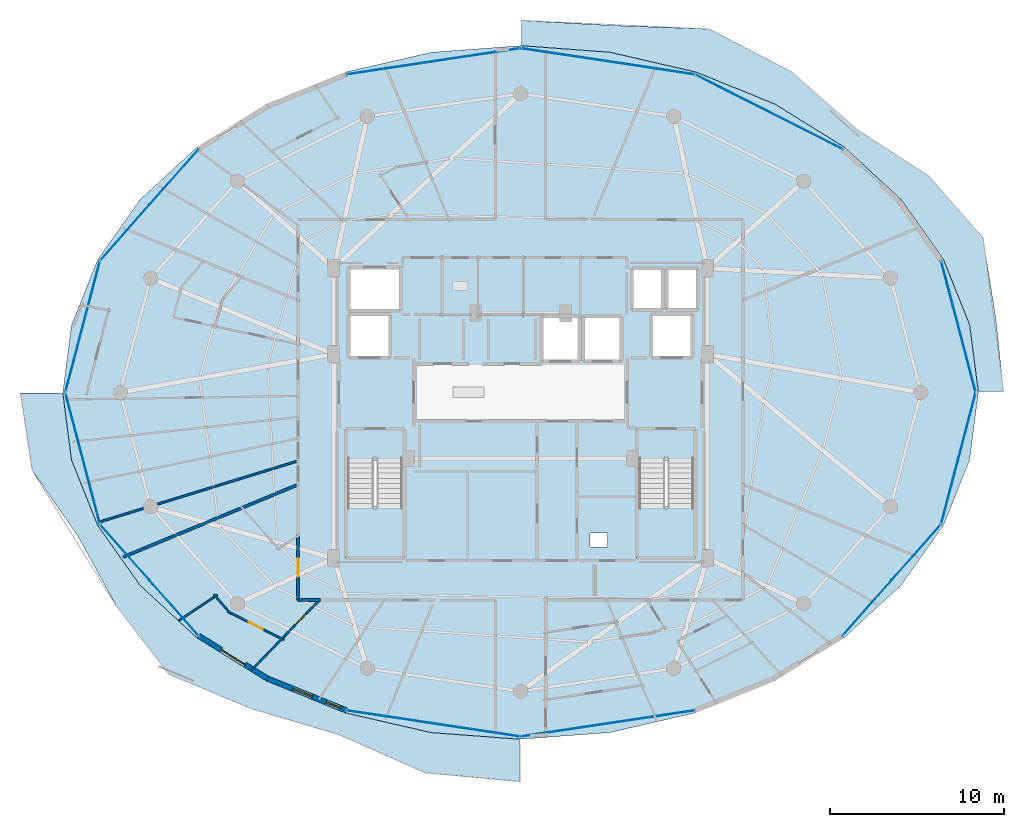
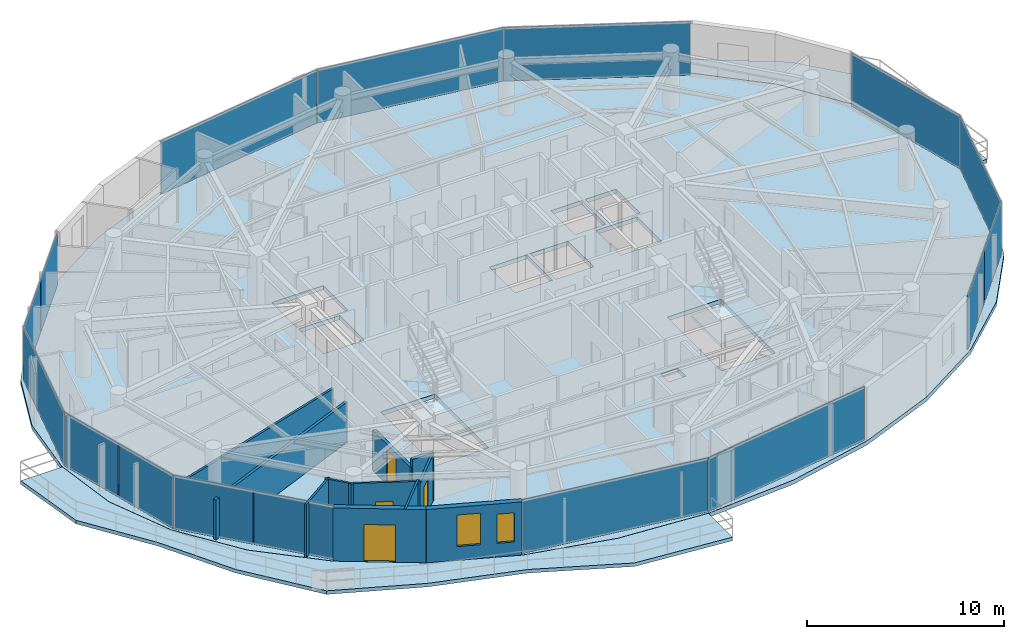
# One storey, part 22 of 31: 16 plates, 11 walls, 5 slabs, 4 doors, 2 windows, 6 openings, 6 elements without a shape of their own.
"""IFC4 building model written with IfcOpenShell, lengths in metres."""

from ifc_helpers import new_model, si_unit, direction, frame, frame_2d, origin, origin_2d, place, context, subcontext, project, spatial, polyline, rectangle, outline, extrude, material, layer, layer_set, type_object, element, fill, aggregate, save


model = new_model("IFC4")

# Units and contexts
model_context = context("Model", 3, precision=1e-05, world=origin(), true_north=direction((0.0, 1.0)))
body_context = subcontext(model_context, "Body", "Model", "MODEL_VIEW")
ifc_project = project(units=[si_unit("LENGTHUNIT", "METRE"), si_unit("AREAUNIT", "SQUARE_METRE"), si_unit("VOLUMEUNIT", "CUBIC_METRE"), si_unit("PLANEANGLEUNIT", "RADIAN"), si_unit("MASSUNIT", "GRAM", prefix="KILO")], contexts=[model_context])

# Site, building, storey
site_placement = place(None, origin())
site = spatial("IfcSite", under=ifc_project, at=site_placement, CompositionType="ELEMENT")
building_placement = place(site_placement, origin())
building = spatial("IfcBuilding", under=site, at=building_placement, Name="Vorneva Point Tower", CompositionType="ELEMENT")
storey_placement = place(building_placement, frame((0.0, 0.0, 248.449951171875)))
storey = spatial("IfcBuildingStorey", under=building, at=storey_placement, Name="L67", CompositionType="ELEMENT", Elevation=248.449951171875)

# Curtain wall, plates
ifc_material_1 = material(Name="Pale anodised aluminium", Category="aluminium")
curtain_wall_type = type_object("IfcCurtainWallType", Name="CW-RES-SYS", PredefinedType="NOTDEFINED", material=ifc_material_1)
curtain_wall_1_placement = place(storey_placement, origin())
curtain_wall_1 = element("IfcCurtainWall", 1, at=curtain_wall_1_placement, inside=storey, type_object=curtain_wall_type, Name="L67 Unitised Curtain Wall CW-L67-R01", PredefinedType="NOTDEFINED")
ifc_material_2 = material(Name="Double low-e laminated glass IGU", Category="glass")
ifc_layer_1 = layer(ifc_material_2, 0.035888671875)
ifc_layer_set_1 = layer_set([ifc_layer_1], Name="Double low-e laminated glass IGU")
plate_type = type_object("IfcPlateType", Name="CW-PNL-VIS", PredefinedType="CURTAIN_PANEL", material=ifc_layer_set_1)
plate_1_placement = place(storey_placement, frame((57.946044921875, 13.598876953125, -0.02001953125), z_axis=(0.0, 0.0, 1.0), x_axis=(0.662188570806, 0.749337238294, 0.0)))
plate_1 = element("IfcPlate", 2, at=plate_1_placement, type_object=plate_type, Name="CW-L67-R01 Glazed Panel 01A", PredefinedType="CURTAIN_PANEL", context=body_context, shape_type="SweptSolid", body=[
    extrude(rectangle(XDim=4.23828125, YDim=0.035888671875, at=origin_2d()), origin(), (0.0, 0.0, 1.0), 3.330078125),
])
plate_2_placement = place(storey_placement, frame((60.785888671875, 16.812255859375, -0.02001953125), z_axis=(0.0, 0.0, 1.0), x_axis=(0.662188570806, 0.749337238294, 0.0)))
plate_2 = element("IfcPlate", 3, at=plate_2_placement, type_object=plate_type, Name="CW-L67-R01 Glazed Panel 01B", PredefinedType="CURTAIN_PANEL", context=body_context, shape_type="SweptSolid", body=[
    extrude(rectangle(XDim=4.23828125, YDim=0.035888671875, at=origin_2d()), origin(), (0.0, 0.0, 1.0), 3.330078125),
])
plate_3_placement = place(storey_placement, frame((63.202880859375, 22.20947265625, -0.02001953125), z_axis=(0.0, 0.0, 1.0), x_axis=(0.254416284022, 0.967094801157, 0.0)))
plate_3 = element("IfcPlate", 4, at=plate_3_placement, type_object=plate_type, Name="CW-L67-R01 Glazed Panel 02", PredefinedType="CURTAIN_PANEL", context=body_context, shape_type="SweptSolid", body=[
    extrude(rectangle(XDim=7.7890625, YDim=0.035888671875, at=origin_2d()), origin(), (0.0, 0.0, 1.0), 3.330078125),
])
plate_4_placement = place(storey_placement, frame((63.202880859375, 29.79052734375, -0.02001953125), z_axis=(0.0, 0.0, 1.0), x_axis=(-0.254416284022, 0.967094801157, 0.0)))
plate_4 = element("IfcPlate", 5, at=plate_4_placement, type_object=plate_type, Name="CW-L67-R01 Glazed Panel 03", PredefinedType="CURTAIN_PANEL", context=body_context, shape_type="SweptSolid", body=[
    extrude(rectangle(XDim=7.7890625, YDim=0.035888671875, at=origin_2d()), origin(), (0.0, 0.0, 1.0), 3.330078125),
])
aggregate(curtain_wall_1, [plate_1, plate_2, plate_3, plate_4])

curtain_wall_2_placement = place(storey_placement, origin())
curtain_wall_2 = element("IfcCurtainWall", 6, at=curtain_wall_2_placement, inside=storey, type_object=curtain_wall_type, Name="L67 Unitised Curtain Wall CW-L67-R02", PredefinedType="NOTDEFINED")
plate_5_placement = place(storey_placement, frame((52.2763671875, 42.15478515625, -0.02001953125), z_axis=(0.0, 0.0, 1.0), x_axis=(-0.892554339087, 0.450939853836, 0.0)))
plate_5 = element("IfcPlate", 7, at=plate_5_placement, type_object=plate_type, Name="CW-L67-R02 Glazed Panel 01", PredefinedType="CURTAIN_PANEL", context=body_context, shape_type="SweptSolid", body=[
    extrude(rectangle(XDim=9.47314453125, YDim=0.035888671875, at=origin_2d()), origin(), (0.0, 0.0, 1.0), 3.330078125),
])
plate_6_placement = place(storey_placement, frame((43.01318359375, 45.055908203125, -0.02001953125), z_axis=(0.0, 0.0, 1.0), x_axis=(-0.988878712919, 0.148724211669, 0.0)))
plate_6 = element("IfcPlate", 8, at=plate_6_placement, type_object=plate_type, Name="CW-L67-R02 Glazed Panel 02", PredefinedType="CURTAIN_PANEL", context=body_context, shape_type="SweptSolid", body=[
    extrude(rectangle(XDim=10.089111328125, YDim=0.035888671875, at=origin_2d()), origin(), (0.0, 0.0, 1.0), 3.330078125),
])
plate_7_placement = place(storey_placement, frame((32.98681640625, 45.055908203125, -0.02001953125), z_axis=(0.0, 0.0, 1.0), x_axis=(-0.988878712919, -0.148724211669, 0.0)))
plate_7 = element("IfcPlate", 9, at=plate_7_placement, type_object=plate_type, Name="CW-L67-R02 Glazed Panel 03", PredefinedType="CURTAIN_PANEL", context=body_context, shape_type="SweptSolid", body=[
    extrude(rectangle(XDim=10.089111328125, YDim=0.035888671875, at=origin_2d()), origin(), (0.0, 0.0, 1.0), 3.330078125),
])
aggregate(curtain_wall_2, [plate_5, plate_6, plate_7])

curtain_wall_3_placement = place(storey_placement, origin())
curtain_wall_3 = element("IfcCurtainWall", 10, at=curtain_wall_3_placement, inside=storey, type_object=curtain_wall_type, Name="L67 Unitised Curtain Wall CW-L67-R03", PredefinedType="NOTDEFINED")
plate_8_placement = place(storey_placement, frame((18.053955078125, 38.401123046875, -0.02001953125), z_axis=(0.0, 0.0, 1.0), x_axis=(-0.662188570806, -0.749337238294, 0.0)))
plate_8 = element("IfcPlate", 11, at=plate_8_placement, type_object=plate_type, Name="CW-L67-R03 Glazed Panel 01A", PredefinedType="CURTAIN_PANEL", context=body_context, shape_type="SweptSolid", body=[
    extrude(rectangle(XDim=4.23828125, YDim=0.035888671875, at=origin_2d()), origin(), (0.0, 0.0, 1.0), 3.330078125),
])
plate_9_placement = place(storey_placement, frame((15.214111328125, 35.187744140625, -0.02001953125), z_axis=(0.0, 0.0, 1.0), x_axis=(-0.662188570806, -0.749337238294, 0.0)))
plate_9 = element("IfcPlate", 12, at=plate_9_placement, type_object=plate_type, Name="CW-L67-R03 Glazed Panel 01B", PredefinedType="CURTAIN_PANEL", context=body_context, shape_type="SweptSolid", body=[
    extrude(rectangle(XDim=4.23828125, YDim=0.035888671875, at=origin_2d()), origin(), (0.0, 0.0, 1.0), 3.330078125),
])
plate_10_placement = place(storey_placement, frame((12.797119140625, 29.79052734375, -0.02001953125), z_axis=(0.0, 0.0, 1.0), x_axis=(-0.254416284022, -0.967094801157, 0.0)))
plate_10 = element("IfcPlate", 13, at=plate_10_placement, type_object=plate_type, Name="CW-L67-R03 Glazed Panel 02", PredefinedType="CURTAIN_PANEL", context=body_context, shape_type="SweptSolid", body=[
    extrude(rectangle(XDim=7.7890625, YDim=0.035888671875, at=origin_2d()), origin(), (0.0, 0.0, 1.0), 3.330078125),
])
plate_11_placement = place(storey_placement, frame((12.298583984375, 24.104736328125, -0.02001953125), z_axis=(0.0, 0.0, 1.0), x_axis=(0.254416284022, -0.967094801157, 0.0)))
plate_11 = element("IfcPlate", 14, at=plate_11_placement, type_object=plate_type, Name="CW-L67-R03 Glazed Panel 03A", PredefinedType="CURTAIN_PANEL", context=body_context, shape_type="SweptSolid", body=[
    extrude(rectangle(XDim=3.869384765625, YDim=0.035888671875, at=origin_2d()), origin(), (0.0, 0.0, 1.0), 3.330078125),
])
plate_12_placement = place(storey_placement, frame((13.2958984375, 20.314208984375, -0.02001953125), z_axis=(0.0, 0.0, 1.0), x_axis=(0.254416284022, -0.967094801157, 0.0)))
plate_12 = element("IfcPlate", 15, at=plate_12_placement, type_object=plate_type, Name="CW-L67-R03 Glazed Panel 03B", PredefinedType="CURTAIN_PANEL", context=body_context, shape_type="SweptSolid", body=[
    extrude(rectangle(XDim=3.869384765625, YDim=0.035888671875, at=origin_2d()), origin(), (0.0, 0.0, 1.0), 3.330078125),
])
plate_13_placement = place(storey_placement, frame((15.214111328125, 16.812255859375, -0.02001953125), z_axis=(0.0, 0.0, 1.0), x_axis=(0.662188570806, -0.749337238294, 0.0)))
plate_13 = element("IfcPlate", 16, at=plate_13_placement, type_object=plate_type, Name="CW-L67-R03 Glazed Panel 04A", PredefinedType="CURTAIN_PANEL", context=body_context, shape_type="SweptSolid", body=[
    extrude(rectangle(XDim=4.23828125, YDim=0.035888671875, at=origin_2d()), origin(), (0.0, 0.0, 1.0), 3.330078125),
])
plate_14_placement = place(storey_placement, frame((18.053955078125, 13.598876953125, -0.02001953125), z_axis=(0.0, 0.0, 1.0), x_axis=(0.662188570806, -0.749337238294, 0.0)))
plate_14 = element("IfcPlate", 17, at=plate_14_placement, type_object=plate_type, Name="CW-L67-R03 Glazed Panel 04B", PredefinedType="CURTAIN_PANEL", context=body_context, shape_type="SweptSolid", body=[
    extrude(rectangle(XDim=4.23828125, YDim=0.035888671875, at=origin_2d()), origin(), (0.0, 0.0, 1.0), 3.330078125),
])
aggregate(curtain_wall_3, [plate_8, plate_9, plate_10, plate_11, plate_12, plate_13, plate_14])

curtain_wall_4_placement = place(storey_placement, origin())
curtain_wall_4 = element("IfcCurtainWall", 18, at=curtain_wall_4_placement, inside=storey, type_object=curtain_wall_type, Name="L67 Unitised Curtain Wall CW-L67-R04", PredefinedType="NOTDEFINED")
plate_15_placement = place(storey_placement, frame((32.98681640625, 6.944091796875, -0.02001953125), z_axis=(0.0, 0.0, 1.0), x_axis=(0.988878712919, -0.148724211669, 0.0)))
plate_15 = element("IfcPlate", 19, at=plate_15_placement, type_object=plate_type, Name="CW-L67-R04 Glazed Panel 01", PredefinedType="CURTAIN_PANEL", context=body_context, shape_type="SweptSolid", body=[
    extrude(rectangle(XDim=10.089111328125, YDim=0.035888671875, at=origin_2d()), origin(), (0.0, 0.0, 1.0), 3.330078125),
])
plate_16_placement = place(storey_placement, frame((43.01318359375, 6.944091796875, -0.02001953125), z_axis=(0.0, 0.0, 1.0), x_axis=(0.988878712919, 0.148724211669, 0.0)))
plate_16 = element("IfcPlate", 20, at=plate_16_placement, type_object=plate_type, Name="CW-L67-R04 Glazed Panel 02", PredefinedType="CURTAIN_PANEL", context=body_context, shape_type="SweptSolid", body=[
    extrude(rectangle(XDim=10.089111328125, YDim=0.035888671875, at=origin_2d()), origin(), (0.0, 0.0, 1.0), 3.330078125),
])
aggregate(curtain_wall_4, [plate_15, plate_16])

# Slabs
ifc_material_3 = material(Name="Concrete B50 (C40/50)", Category="concrete")
ifc_layer_2 = layer(ifc_material_3, 0.219970703125)
ifc_layer_set_2 = layer_set([ifc_layer_2], Name="Concrete B50 (C40/50)")
slab_type_1 = type_object("IfcSlabType", Name="SLB-BAL-220", PredefinedType="FLOOR", material=ifc_layer_set_2)
slab_1_placement = place(storey_placement, frame((0.0, 0.0, -0.219970703125)))
element("IfcSlab", 21, at=slab_1_placement, inside=storey, type_object=slab_type_1, Name="L67 Cantilevered Wave Balcony NE", PredefinedType="FLOOR", context=body_context, shape_type="SweptSolid", body=[
    extrude(outline(polyline([(38.050048828125, 47.412353515625), (38.050048828125, 45.960205078125), (43.140869140625, 45.58056640625), (43.14111328125, 45.58056640625), (43.1416015625, 45.580322265625), (48.084716796875, 44.444580078125), (48.0849609375, 44.4443359375), (48.085205078125, 44.4443359375), (52.640869140625, 42.599853515625), (52.64111328125, 42.599609375), (52.641357421875, 42.599609375), (56.634521484375, 40.1171875), (56.634765625, 40.1171875), (56.635009765625, 40.11669921875), (59.911865234375, 37.092041015625), (59.912109375, 37.091796875), (59.91259765625, 37.091552734375), (62.347412109375, 33.640625), (62.34765625, 33.640380859375), (62.347900390625, 33.639892578125), (63.847412109375, 29.8955078125), (63.847412109375, 29.895263671875), (63.84765625, 29.894775390625), (63.84765625, 29.89453125), (64.347412109375, 26.050048828125), (65.7998046875, 26.050048828125), (65.353515625, 30.29052734375), (64.62255859375, 34.88427734375), (61.47412109375, 38.469482421875), (57.386962890625, 41.1103515625), (53.58154296875, 44.457763671875), (48.861083984375, 46.918212890625), (43.373291015625, 47.1201171875), (38.050048828125, 47.412353515625)])), origin(), (0.0, 0.0, 1.0), 0.219970703125),
])
slab_2_placement = place(storey_placement, frame((0.0, 0.0, -0.219970703125)))
element("IfcSlab", 22, at=slab_2_placement, inside=storey, type_object=slab_type_1, Name="L67 Cantilevered Wave Balcony SW", PredefinedType="FLOOR", context=body_context, shape_type="SweptSolid", body=[
    extrude(outline(polyline([(37.949951171875, 3.599609375), (37.949951171875, 6.039794921875), (32.859130859375, 6.41943359375), (32.85888671875, 6.41943359375), (32.8583984375, 6.419677734375), (27.915283203125, 7.555419921875), (27.9150390625, 7.5556640625), (27.914794921875, 7.5556640625), (23.359130859375, 9.400146484375), (23.35888671875, 9.400390625), (23.358642578125, 9.400390625), (19.365478515625, 11.8828125), (19.365234375, 11.8828125), (19.364990234375, 11.88330078125), (16.088134765625, 14.907958984375), (16.087890625, 14.908203125), (16.08740234375, 14.908447265625), (13.652587890625, 18.359375), (13.65234375, 18.359619140625), (13.652099609375, 18.360107421875), (12.152587890625, 22.1044921875), (12.152587890625, 22.104736328125), (12.15234375, 22.105224609375), (12.15234375, 22.10546875), (11.652587890625, 25.949951171875), (9.212646484375, 25.949951171875), (9.89404296875, 21.511962890625), (12.51220703125, 17.736328125), (14.730712890625, 13.711181640625), (17.767578125, 9.773681640625), (22.541748046875, 7.785888671875), (27.526123046875, 6.31591796875), (32.510986328125, 4.110595703125), (37.949951171875, 3.599609375)])), origin(), (0.0, 0.0, 1.0), 0.219970703125),
])

# Stair, slab
stair_type = type_object("IfcStairType", Name="ST-DOG-1500", PredefinedType="HALF_TURN_STAIR", material=ifc_material_3)
stair_1_placement = place(storey_placement, origin())
stair_1 = element("IfcStair", 23, at=stair_1_placement, inside=storey, type_object=stair_type, Name="L67 ST1", PredefinedType="HALF_TURN_STAIR")
ifc_layer_3 = layer(ifc_material_3, 0.199951171875)
ifc_layer_set_3 = layer_set([ifc_layer_3], Name="Concrete B50 (C40/50)")
slab_type_2 = type_object("IfcSlabType", Name="SLB-LND-200", PredefinedType="LANDING", material=ifc_layer_set_3)
slab_3_placement = place(storey_placement, frame((0.0, 0.0, 1.574951171875)))
slab_3 = element("IfcSlab", 24, at=slab_3_placement, type_object=slab_type_2, Name="ST1 landing 1", PredefinedType="LANDING", context=body_context, shape_type="SweptSolid", body=[
    extrude(outline(polyline([(27.929931640625, 16.47998046875), (31.320068359375, 16.47998046875), (31.320068359375, 19.43994140625), (27.929931640625, 19.43994140625), (27.929931640625, 16.47998046875)])), origin(), (0.0, 0.0, 1.0), 0.2001953125),
])
aggregate(stair_1, [slab_3])

stair_2_placement = place(storey_placement, origin())
stair_2 = element("IfcStair", 25, at=stair_2_placement, inside=storey, type_object=stair_type, Name="L67 ST2", PredefinedType="HALF_TURN_STAIR")
slab_4_placement = place(storey_placement, frame((0.0, 0.0, 1.574951171875)))
slab_4 = element("IfcSlab", 26, at=slab_4_placement, type_object=slab_type_2, Name="ST2 landing 1", PredefinedType="LANDING", context=body_context, shape_type="SweptSolid", body=[
    extrude(outline(polyline([(44.679931640625, 16.47998046875), (48.070068359375, 16.47998046875), (48.070068359375, 19.43994140625), (44.679931640625, 19.43994140625), (44.679931640625, 16.47998046875)])), origin(), (0.0, 0.0, 1.0), 0.2001953125),
])
aggregate(stair_2, [slab_4])

# Slab
ifc_layer_4 = layer(ifc_material_3, 0.260009765625)
ifc_layer_set_4 = layer_set([ifc_layer_4], Name="Concrete B50 (C40/50)")
slab_type_3 = type_object("IfcSlabType", Name="SLB-TYP-260", PredefinedType="FLOOR", material=ifc_layer_set_4)
slab_5_placement = place(storey_placement, frame((0.0, 0.0, -0.260009765625)))
element("IfcSlab", 27, at=slab_5_placement, inside=storey, type_object=slab_type_3, Name="L67 Structural Floor Plate", PredefinedType="FLOOR", context=body_context, shape_type="SweptSolid", body=[
    extrude(outline(polyline([(64.35009765625, 26.0), (63.84375, 29.89404296875), (62.34423828125, 33.638427734375), (59.9091796875, 37.089111328125), (56.63232421875, 40.114013671875), (52.639404296875, 42.59619140625), (48.083740234375, 44.440673828125), (43.140625, 45.576416015625), (38.0, 45.9599609375), (32.859375, 45.576416015625), (27.916259765625, 44.440673828125), (23.360595703125, 42.59619140625), (19.36767578125, 40.114013671875), (16.0908203125, 37.089111328125), (13.65576171875, 33.638427734375), (12.15625, 29.89404296875), (11.64990234375, 26.0), (12.15625, 22.10595703125), (13.65576171875, 18.361572265625), (16.0908203125, 14.910888671875), (19.36767578125, 11.885986328125), (23.360595703125, 9.40380859375), (27.916259765625, 7.559326171875), (32.859375, 6.423583984375), (38.0, 6.0400390625), (43.140625, 6.423583984375), (48.083740234375, 7.559326171875), (52.639404296875, 9.40380859375), (56.63232421875, 11.885986328125), (59.9091796875, 14.910888671875), (62.34423828125, 18.361572265625), (63.84375, 22.10595703125), (64.35009765625, 26.0)]), holes=[polyline([(39.199951171875, 27.800048828125), (41.39990234375, 27.800048828125), (41.39990234375, 30.39990234375), (39.199951171875, 30.39990234375), (39.199951171875, 27.800048828125)]), polyline([(41.60009765625, 27.800048828125), (43.800048828125, 27.800048828125), (43.800048828125, 30.39990234375), (41.60009765625, 30.39990234375), (41.60009765625, 27.800048828125)]), polyline([(44.39990234375, 30.739990234375), (46.199951171875, 30.739990234375), (46.199951171875, 33.159912109375), (44.39990234375, 33.159912109375), (44.39990234375, 30.739990234375)]), polyline([(46.39990234375, 30.739990234375), (48.199951171875, 30.739990234375), (48.199951171875, 33.159912109375), (46.39990234375, 33.159912109375), (46.39990234375, 30.739990234375)]), polyline([(28.10009765625, 28.0), (30.5, 28.0), (30.5, 30.5), (28.10009765625, 30.5), (28.10009765625, 28.0)]), polyline([(45.5, 28.0), (47.89990234375, 28.0), (47.89990234375, 30.5), (45.5, 30.5), (45.5, 28.0)]), polyline([(28.10009765625, 30.699951171875), (31.10009765625, 30.699951171875), (31.10009765625, 33.199951171875), (28.10009765625, 33.199951171875), (28.10009765625, 30.699951171875)]), polyline([(28.050048828125, 16.60009765625), (31.199951171875, 16.60009765625), (31.199951171875, 22.080078125), (28.050048828125, 22.080078125), (28.050048828125, 16.60009765625)]), polyline([(44.800048828125, 16.60009765625), (47.949951171875, 16.60009765625), (47.949951171875, 22.080078125), (44.800048828125, 22.080078125), (44.800048828125, 16.60009765625)]), polyline([(42.0, 17.10009765625), (43.0, 17.10009765625), (43.0, 17.89990234375), (42.0, 17.89990234375), (42.0, 17.10009765625)])]), origin(), (0.0, 0.0, 1.0), 0.260009765625),
])

# Wall, opening, door
ifc_material_4 = material(Name="Precast concrete B50 (C40/50)", Category="concrete")
ifc_layer_5 = layer(ifc_material_4, 0.300048828125)
ifc_layer_set_5 = layer_set([ifc_layer_5], Name="Precast concrete B50 (C40/50)")
wall_type_1 = type_object("IfcWallType", Name="WL-EXT-300", PredefinedType="STANDARD", material=ifc_layer_set_5)
wall_1_placement = place(storey_placement, frame((19.473876953125, 11.9921875, 0.0), z_axis=(0.0, 0.0, 1.0), x_axis=(0.849702323036, -0.527262707032, 0.0)))
wall_1 = element("IfcWall", 28, at=wall_1_placement, inside=storey, type_object=wall_type_1, Name="L67 Pale-Metal Facade Spandrel Wall 11.1", PredefinedType="STANDARD", context=body_context, shape_type="SweptSolid", body=[
    extrude(rectangle(XDim=4.67236328125, YDim=0.300048828125, at=frame_2d((2.336181640625, 0.0))), origin(), (0.0, 0.0, 1.0), 3.2900390625),
])
opening_1_placement = place(wall_1_placement, frame((1.536376953125, 0.0, 0.0)))
opening_1 = element("IfcOpeningElement", 29, at=opening_1_placement, cuts=wall_1, Name="Opening BD-01", PredefinedType="OPENING", context=body_context, shape_type="SweptSolid", body=[
    extrude(rectangle(XDim=1.60009765625, YDim=2.300048828125, at=frame_2d((0.800048828125, 1.14990234375))), frame((0.0, 0.1650390625, 0.0), z_axis=(0.0, -1.0, 0.0), x_axis=(1.0, 0.0, 0.0)), (0.0, 0.0, 1.0), 0.329833984375),
])
door_type_1 = type_object("IfcDoorType", Name="DR-BAL-1600", OperationType="SLIDING_TO_LEFT", PredefinedType="DOOR", material=ifc_material_1)
door_1_placement = place(opening_1_placement, origin())
door_1 = element("IfcDoor", 30, at=door_1_placement, inside=storey, type_object=door_type_1, Name="L67 Balcony Terrace Access Door 11", OperationType="SLIDING_TO_LEFT", OverallHeight=2.300048828125, OverallWidth=1.60009765625, PredefinedType="DOOR", context=body_context, shape_type="SweptSolid", body=[
    extrude(rectangle(XDim=1.60009765625, YDim=2.300048828125, at=frame_2d((0.800048828125, 1.14990234375))), frame((0.0, 0.02490234375, 0.0), z_axis=(0.0, -1.0, 0.0), x_axis=(1.0, 0.0, 0.0)), (0.0, 0.0, 1.0), 0.050048828125),
])
fill(opening_1, door_1)

# Wall, openings, windows
wall_2_placement = place(storey_placement, frame((23.444091796875, 9.528564453125, 0.0), z_axis=(0.0, 0.0, 1.0), x_axis=(0.927147375511, -0.374696869594, 0.0)))
wall_2 = element("IfcWall", 31, at=wall_2_placement, inside=storey, type_object=wall_type_1, Name="L67 Pale-Metal Facade Spandrel Wall 11.2", PredefinedType="STANDARD", context=body_context, shape_type="SweptSolid", body=[
    extrude(rectangle(XDim=4.885498046875, YDim=0.300048828125, at=frame_2d((2.44287109375, 0.0))), origin(), (0.0, 0.0, 1.0), 3.2900390625),
])
opening_2_placement = place(wall_2_placement, frame((1.573974609375, 0.0, 0.85009765625)))
opening_2 = element("IfcOpeningElement", 32, at=opening_2_placement, cuts=wall_2, Name="Opening W-04", PredefinedType="OPENING", context=body_context, shape_type="SweptSolid", body=[
    extrude(rectangle(XDim=1.199951171875, YDim=1.949951171875, at=frame_2d((0.60009765625, 0.97509765625))), frame((0.0, 0.1650390625, 0.0), z_axis=(0.0, -1.0, 0.0), x_axis=(1.0, 0.0, 0.0)), (0.0, 0.0, 1.0), 0.329833984375),
])
opening_3_placement = place(wall_2_placement, frame((3.6064453125, 0.0, 0.85009765625)))
opening_3 = element("IfcOpeningElement", 33, at=opening_3_placement, cuts=wall_2, Name="Opening W-08", PredefinedType="OPENING", context=body_context, shape_type="SweptSolid", body=[
    extrude(rectangle(XDim=0.89990234375, YDim=1.800048828125, at=frame_2d((0.449951171875, 0.89990234375))), frame((0.0, 0.1650390625, 0.0), z_axis=(0.0, -1.0, 0.0), x_axis=(1.0, 0.0, 0.0)), (0.0, 0.0, 1.0), 0.329833984375),
])
window_type_1 = type_object("IfcWindowType", Name="WN-CAS-900", PartitioningType="SINGLE_PANEL", PredefinedType="WINDOW", material=ifc_material_2)
window_1_placement = place(opening_3_placement, origin())
window_1 = element("IfcWindow", 34, at=window_1_placement, inside=storey, type_object=window_type_1, Name="L67 Dwelling Vision Window 03", OverallHeight=1.800048828125, OverallWidth=0.89990234375, PartitioningType="SINGLE_PANEL", PredefinedType="WINDOW", context=body_context, shape_type="SweptSolid", body=[
    extrude(rectangle(XDim=0.89990234375, YDim=1.800048828125, at=frame_2d((0.449951171875, 0.89990234375))), frame((0.0, 0.030029296875, 0.0), z_axis=(0.0, -1.0, 0.0), x_axis=(1.0, 0.0, 0.0)), (0.0, 0.0, 1.0), 0.06005859375),
])
fill(opening_3, window_1)
window_type_2 = type_object("IfcWindowType", Name="WN-RES-1200", PartitioningType="SINGLE_PANEL", PredefinedType="WINDOW", material=ifc_material_2)
window_2_placement = place(opening_2_placement, origin())
window_2 = element("IfcWindow", 35, at=window_2_placement, inside=storey, type_object=window_type_2, Name="L67 Dwelling Vision Window 02", OverallHeight=1.949951171875, OverallWidth=1.199951171875, PartitioningType="SINGLE_PANEL", PredefinedType="WINDOW", context=body_context, shape_type="SweptSolid", body=[
    extrude(rectangle(XDim=1.199951171875, YDim=1.949951171875, at=frame_2d((0.60009765625, 0.97509765625))), frame((0.0, 0.030029296875, 0.0), z_axis=(0.0, -1.0, 0.0), x_axis=(1.0, 0.0, 0.0)), (0.0, 0.0, 1.0), 0.06005859375),
])
fill(opening_2, window_2)

# Wall
ifc_material_5 = material(Name="Fire-rated acoustic gypsum stud partition", Category="gypsum")
ifc_layer_6 = layer(ifc_material_5, 0.110107421875)
ifc_layer_set_6 = layer_set([ifc_layer_6], Name="Fire-rated acoustic gypsum stud partition")
wall_type_2 = type_object("IfcWallType", Name="WL-PART-110", PredefinedType="PARTITIONING", material=ifc_layer_set_6)
wall_3_placement = place(storey_placement, frame((20.33935546875, 14.373779296875, 0.0), z_axis=(0.0, 0.0, 1.0), x_axis=(0.662352602393, -0.749192251764, 0.0)))
element("IfcWall", 36, at=wall_3_placement, inside=storey, type_object=wall_type_2, Name="L67 Interior Partition 103", PredefinedType="PARTITIONING", context=body_context, shape_type="SweptSolid", body=[
    extrude(rectangle(XDim=1.523681640625, YDim=0.110107421875, at=frame_2d((0.76171875, 0.0))), origin(), (0.0, 0.0, 1.0), 3.2900390625),
])

# Wall, opening, door
wall_4_placement = place(storey_placement, frame((21.131103515625, 13.400146484375, 0.0), z_axis=(0.0, 0.0, 1.0), x_axis=(0.892570631547, -0.450907604394, 0.0)))
wall_4 = element("IfcWall", 37, at=wall_4_placement, inside=storey, type_object=wall_type_2, Name="L67 Interior Partition 104", PredefinedType="PARTITIONING", context=body_context, shape_type="SweptSolid", body=[
    extrude(rectangle(XDim=3.64453125, YDim=0.110107421875, at=frame_2d((1.822265625, 0.0))), origin(), (0.0, 0.0, 1.0), 3.2900390625),
])
opening_4_placement = place(wall_4_placement, frame((1.372314453125, 0.0, 0.0)))
opening_4 = element("IfcOpeningElement", 38, at=opening_4_placement, cuts=wall_4, Name="Opening ID-01", PredefinedType="OPENING", context=body_context, shape_type="SweptSolid", body=[
    extrude(rectangle(XDim=0.89990234375, YDim=2.10009765625, at=frame_2d((0.449951171875, 1.050048828125))), frame((0.0, 0.06982421875, 0.0), z_axis=(0.0, -1.0, 0.0), x_axis=(1.0, 0.0, 0.0)), (0.0, 0.0, 1.0), 0.139892578125),
])
ifc_material_6 = material(Name="Engineered oak fire-rated door leaf", Category="wood")
door_type_2 = type_object("IfcDoorType", Name="DR-ROOM-900", OperationType="NOTDEFINED", PredefinedType="DOOR", material=ifc_material_6)
door_2_placement = place(opening_4_placement, origin())
door_2 = element("IfcDoor", 39, at=door_2_placement, inside=storey, type_object=door_type_2, Name="L67 Door Living and Dining Room L67-03 / Kitchen L67-03", OperationType="SINGLE_SWING_RIGHT", OverallHeight=2.10009765625, OverallWidth=0.89990234375, PredefinedType="DOOR", context=body_context, shape_type="SweptSolid", body=[
    extrude(rectangle(XDim=0.89990234375, YDim=2.10009765625, at=frame_2d((0.449951171875, 1.050048828125))), frame((0.0, 0.02490234375, 0.0), z_axis=(0.0, -1.0, 0.0), x_axis=(1.0, 0.0, 0.0)), (0.0, 0.0, 1.0), 0.050048828125),
])
fill(opening_4, door_2)

# Walls
wall_5_placement = place(storey_placement, frame((18.32763671875, 12.8642578125, 0.0), z_axis=(0.0, 0.0, 1.0), x_axis=(0.831712526046, 0.555206514748, 0.0)))
element("IfcWall", 40, at=wall_5_placement, inside=storey, type_object=wall_type_2, Name="L67 Interior Partition 105", PredefinedType="PARTITIONING", context=body_context, shape_type="SweptSolid", body=[
    extrude(rectangle(XDim=2.669921875, YDim=0.110107421875, at=frame_2d((1.3349609375, 0.0))), origin(), (0.0, 0.0, 1.0), 3.2900390625),
])
wall_6_placement = place(storey_placement, frame((22.469482421875, 9.973388671875, 0.0), z_axis=(0.0, 0.0, 1.0), x_axis=(0.695944713466, 0.718095366786, 0.0)))
element("IfcWall", 41, at=wall_6_placement, inside=storey, type_object=wall_type_2, Name="L67 Interior Partition 107", PredefinedType="PARTITIONING", context=body_context, shape_type="SweptSolid", body=[
    extrude(rectangle(XDim=2.71142578125, YDim=0.110107421875, at=frame_2d((1.355712890625, 0.0))), origin(), (0.0, 0.0, 1.0), 3.2900390625),
])
ifc_layer_7 = layer(ifc_material_5, 0.125)
ifc_layer_set_7 = layer_set([ifc_layer_7], Name="Fire-rated acoustic gypsum stud partition")
wall_type_3 = type_object("IfcWallType", Name="WL-PART-125", PredefinedType="PARTITIONING", material=ifc_layer_set_7)
wall_7_placement = place(storey_placement, frame((13.7470703125, 18.5390625, 0.0), z_axis=(0.0, 0.0, 1.0), x_axis=(0.955802794564, 0.294008533725, 0.0)))
element("IfcWall", 42, at=wall_7_placement, inside=storey, type_object=wall_type_3, Name="L67 Interior Partition 099", PredefinedType="PARTITIONING", context=body_context, shape_type="SweptSolid", body=[
    extrude(rectangle(XDim=11.982421875, YDim=0.125, at=frame_2d((5.9912109375, 0.0))), origin(), (0.0, 0.0, 1.0), 2.48193359375),
])

# Wall, opening, door
wall_8_placement = place(storey_placement, frame((24.259033203125, 11.820068359375, 0.0), z_axis=(0.0, 0.0, 1.0), x_axis=(0.695894072482, 0.718144442215, 0.0)))
wall_8 = element("IfcWall", 43, at=wall_8_placement, inside=storey, type_object=wall_type_3, Name="L67 Interior Partition 106", PredefinedType="PARTITIONING", context=body_context, shape_type="SweptSolid", body=[
    extrude(rectangle(XDim=3.105224609375, YDim=0.125, at=frame_2d((1.552734375, 0.0))), origin(), (0.0, 0.0, 1.0), 2.8740234375),
])
opening_5_placement = place(wall_8_placement, frame((1.1025390625, 0.0, 0.0)))
opening_5 = element("IfcOpeningElement", 44, at=opening_5_placement, cuts=wall_8, Name="Opening ID-01", PredefinedType="OPENING", context=body_context, shape_type="SweptSolid", body=[
    extrude(rectangle(XDim=0.89990234375, YDim=2.10009765625, at=frame_2d((0.449951171875, 1.050048828125))), frame((0.0, 0.077392578125, 0.0), z_axis=(0.0, -1.0, 0.0), x_axis=(1.0, 0.0, 0.0)), (0.0, 0.0, 1.0), 0.15478515625),
])
door_3_placement = place(opening_5_placement, origin())
door_3 = element("IfcDoor", 45, at=door_3_placement, inside=storey, type_object=door_type_2, Name="L67 Door Living and Dining Room L67-03 / Master Bedroom L67-03.1", OperationType="SINGLE_SWING_RIGHT", OverallHeight=2.10009765625, OverallWidth=0.89990234375, PredefinedType="DOOR", context=body_context, shape_type="SweptSolid", body=[
    extrude(rectangle(XDim=0.89990234375, YDim=2.10009765625, at=frame_2d((0.449951171875, 1.050048828125))), frame((0.0, 0.02490234375, 0.0), z_axis=(0.0, -1.0, 0.0), x_axis=(1.0, 0.0, 0.0)), (0.0, 0.0, 1.0), 0.050048828125),
])
fill(opening_5, door_3)

# Wall
ifc_layer_8 = layer(ifc_material_5, 0.159912109375)
ifc_layer_set_8 = layer_set([ifc_layer_8], Name="Fire-rated acoustic gypsum stud partition")
wall_type_4 = type_object("IfcWallType", Name="WL-PART-160", PredefinedType="PARTITIONING", material=ifc_layer_set_8)
wall_9_placement = place(storey_placement, frame((15.133056640625, 16.528076171875, 0.0), z_axis=(0.0, 0.0, 1.0), x_axis=(0.923877013663, 0.382689513347, 0.0)))
element("IfcWall", 46, at=wall_9_placement, inside=storey, type_object=wall_type_4, Name="L67 Interior Partition 100", PredefinedType="PARTITIONING", context=body_context, shape_type="SweptSolid", body=[
    extrude(rectangle(XDim=10.896240234375, YDim=0.159912109375, at=frame_2d((5.4482421875, 0.0))), origin(), (0.0, 0.0, 1.0), 2.48193359375),
])

# Wall, opening, door
ifc_material_7 = material(Name="Autoclaved aerated concrete blockwork", Category="masonry")
ifc_layer_9 = layer(ifc_material_7, 0.179931640625)
ifc_layer_set_9 = layer_set([ifc_layer_9], Name="Autoclaved aerated concrete blockwork")
wall_type_5 = type_object("IfcWallType", Name="WL-PART-180", PredefinedType="PARTITIONING", material=ifc_layer_set_9)
wall_10_placement = place(storey_placement, frame((25.199951171875, 17.81201171875, 0.0), z_axis=(0.0, 0.0, 1.0), x_axis=(0.0, -1.0, 0.0)))
wall_10 = element("IfcWall", 47, at=wall_10_placement, inside=storey, type_object=wall_type_5, Name="L67 Interior Partition 049", PredefinedType="PARTITIONING", context=body_context, shape_type="SweptSolid", body=[
    extrude(rectangle(XDim=3.761962890625, YDim=0.179931640625, at=frame_2d((1.880859375, 0.0))), origin(), (0.0, 0.0, 1.0), 2.48193359375),
])
opening_6_placement = place(wall_10_placement, frame((1.381103515625, 0.0, 0.0)))
opening_6 = element("IfcOpeningElement", 48, at=opening_6_placement, cuts=wall_10, Name="Opening UD-01", PredefinedType="OPENING", context=body_context, shape_type="SweptSolid", body=[
    extrude(rectangle(XDim=1.0, YDim=2.14990234375, at=frame_2d((0.5, 1.074951171875))), frame((0.0, 0.10498046875, 0.0), z_axis=(0.0, -1.0, 0.0), x_axis=(1.0, 0.0, 0.0)), (0.0, 0.0, 1.0), 0.209716796875),
])
door_type_3 = type_object("IfcDoorType", Name="DR-UNIT-1000", OperationType="NOTDEFINED", PredefinedType="DOOR", material=ifc_material_6)
door_4_placement = place(opening_6_placement, origin())
door_4 = element("IfcDoor", 49, at=door_4_placement, inside=storey, type_object=door_type_3, Name="L67 Door L67 Circulation Corridor / Living and Dining Room L67-03", OperationType="SINGLE_SWING_LEFT", OverallHeight=2.14990234375, OverallWidth=1.0, PredefinedType="DOOR", context=body_context, shape_type="SweptSolid", body=[
    extrude(rectangle(XDim=1.0, YDim=2.14990234375, at=frame_2d((0.5, 1.074951171875))), frame((0.0, 0.02490234375, 0.0), z_axis=(0.0, -1.0, 0.0), x_axis=(1.0, 0.0, 0.0)), (0.0, 0.0, 1.0), 0.050048828125),
])
fill(opening_6, door_4)

# Wall
wall_11_placement = place(storey_placement, frame((25.199951171875, 14.050048828125, 0.0), z_axis=(0.0, 0.0, 1.0), x_axis=(1.0, 0.0, 0.0)))
element("IfcWall", 50, at=wall_11_placement, inside=storey, type_object=wall_type_5, Name="L67 Interior Partition 050", PredefinedType="PARTITIONING", context=body_context, shape_type="SweptSolid", body=[
    extrude(rectangle(XDim=1.280029296875, YDim=0.179931640625, at=frame_2d((0.64013671875, 0.0))), origin(), (0.0, 0.0, 1.0), 2.97216796875),
])

save(model, "model.ifc")
